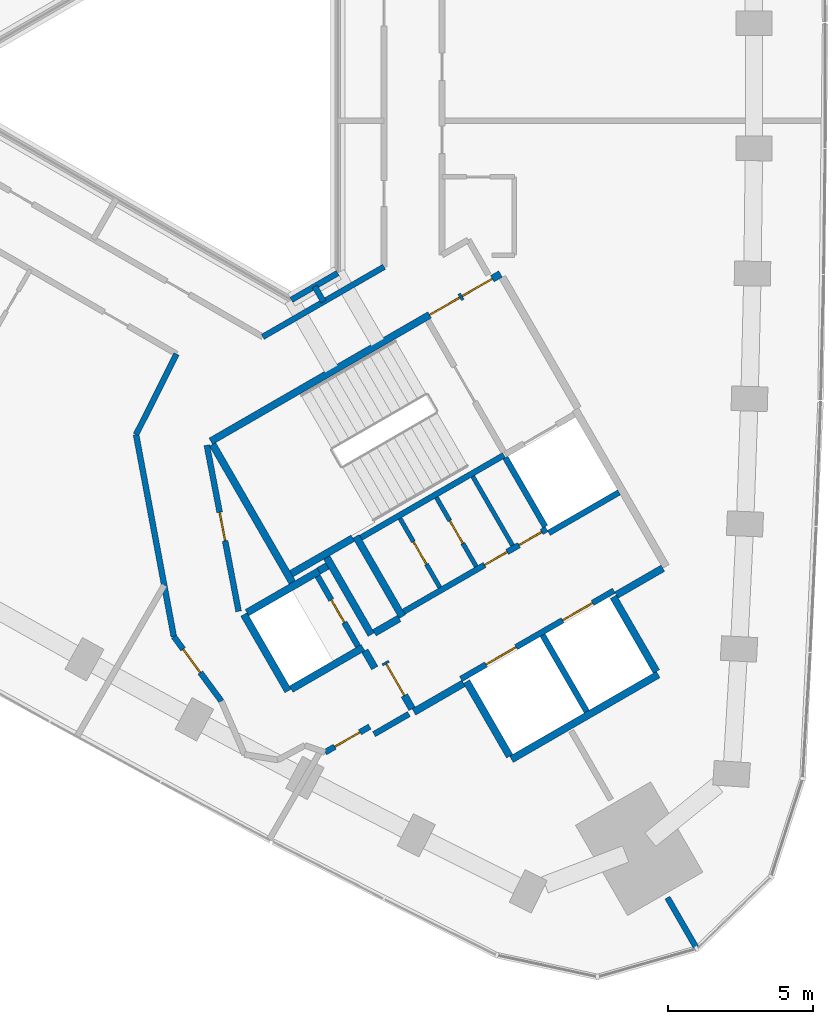
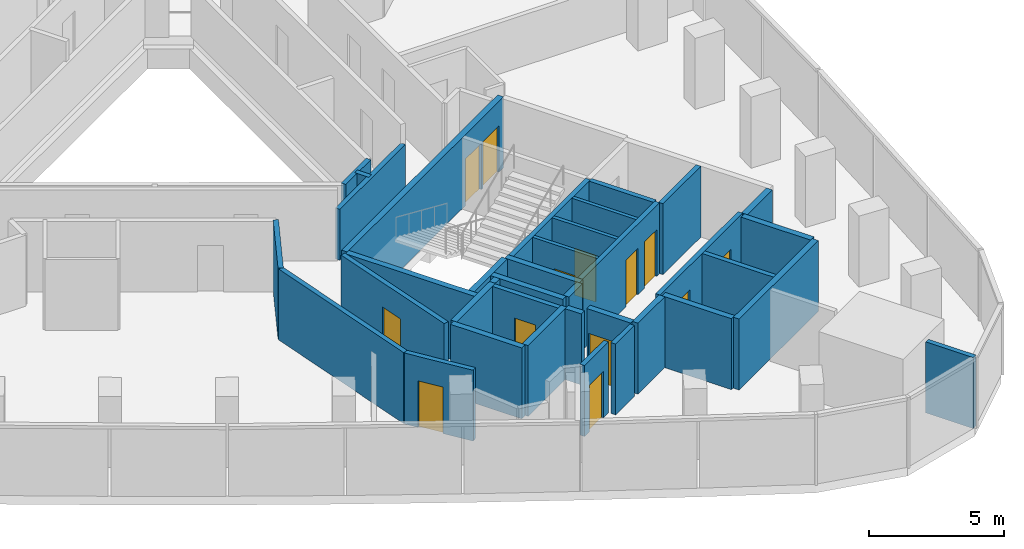
# One storey, part 8 of 12: 37 walls, 13 doors, 13 openings.
"""IFC4 building model written with IfcOpenShell, lengths in metres."""

from ifc_helpers import new_model, si_unit, direction, frame, frame_2d, origin, place, context, subcontext, project, spatial, rectangle, extrude, material, layer, layer_set, type_object, element, fill, save


model = new_model("IFC4")

# Units and contexts
model_context = context("Model", 3, precision=1e-05, world=origin(), true_north=direction((0.0, 1.0)))
body_context = subcontext(model_context, "Body", "Model", "MODEL_VIEW")
ifc_project = project(units=[si_unit("LENGTHUNIT", "METRE"), si_unit("AREAUNIT", "SQUARE_METRE"), si_unit("VOLUMEUNIT", "CUBIC_METRE"), si_unit("PLANEANGLEUNIT", "RADIAN"), si_unit("MASSUNIT", "GRAM", prefix="KILO")], contexts=[model_context])

# Site, building, storey
site_placement = place(None, origin())
site = spatial("IfcSite", under=ifc_project, at=site_placement, CompositionType="ELEMENT")
building_placement = place(site_placement, origin())
building = spatial("IfcBuilding", under=site, at=building_placement, Name="Tamra Quay Hotel Tower", CompositionType="ELEMENT")
storey_placement = place(building_placement, frame((0.0, 0.0, 154.0)))
storey = spatial("IfcBuildingStorey", under=building, at=storey_placement, Name="L38", CompositionType="ELEMENT", Elevation=154.0)

# Wall, openings, doors
ifc_material_1 = material(Name="Concrete M70", Category="concrete")
ifc_layer_1 = layer(ifc_material_1, 0.199951171875)
ifc_layer_set_1 = layer_set([ifc_layer_1], Name="Concrete M70 core wall 200")
wall_type_1 = type_object("IfcWallType", Name="Concrete M70 core wall 200", PredefinedType="SHEAR", material=ifc_layer_set_1)
wall_1_placement = place(storey_placement, frame((9.052490234375, -20.479736328125, 0.0), z_axis=(0.0, 0.0, 1.0), x_axis=(0.866030299012, 0.499991521122, 0.0)))
wall_1 = element("IfcWall", 1, at=wall_1_placement, inside=storey, type_object=wall_type_1, Name="CW2", PredefinedType="SHEAR", context=body_context, shape_type="SweptSolid", body=[
    extrude(rectangle(XDim=6.10009765625, YDim=0.199951171875, at=frame_2d((3.050048828125, 0.0))), origin(), (0.0, 0.0, 1.0), 3.199951171875),
])
opening_1_placement = place(wall_1_placement, frame((1.0, 0.0, 0.0)))
opening_1 = element("IfcOpeningElement", 2, at=opening_1_placement, cuts=wall_1, Name="Opening LD", PredefinedType="OPENING", context=body_context, shape_type="SweptSolid", body=[
    extrude(rectangle(XDim=1.199951171875, YDim=2.10009765625, at=frame_2d((0.60009765625, 1.050048828125))), frame((0.0, 0.10986328125, 0.0), z_axis=(0.0, -1.0, 0.0), x_axis=(1.0, 0.0, 0.0)), (0.0, 0.0, 1.0), 0.219970703125),
])
opening_2_placement = place(wall_1_placement, frame((4.05029296875, 0.0, 0.0)))
opening_2 = element("IfcOpeningElement", 3, at=opening_2_placement, cuts=wall_1, Name="Opening LD", PredefinedType="OPENING", context=body_context, shape_type="SweptSolid", body=[
    extrude(rectangle(XDim=1.199951171875, YDim=2.10009765625, at=frame_2d((0.60009765625, 1.050048828125))), frame((0.0, 0.10986328125, 0.0), z_axis=(0.0, -1.0, 0.0), x_axis=(1.0, 0.0, 0.0)), (0.0, 0.0, 1.0), 0.219970703125),
])
ifc_material_2 = material(Name="Landing door LD 1200 double door sliding")
door_type_1 = type_object("IfcDoorType", Name="Landing door LD 1200 double door sliding", OperationType="DOUBLE_DOOR_SLIDING", PredefinedType="DOOR", material=ifc_material_2)
door_1_placement = place(opening_1_placement, origin())
door_1 = element("IfcDoor", 4, at=door_1_placement, inside=storey, type_object=door_type_1, Name="LD", OperationType="DOUBLE_DOOR_SLIDING", OverallHeight=2.10009765625, OverallWidth=1.199951171875, PredefinedType="DOOR", context=body_context, shape_type="SweptSolid", body=[
    extrude(rectangle(XDim=1.199951171875, YDim=2.10009765625, at=frame_2d((0.60009765625, 1.050048828125))), frame((0.0, 0.02490234375, 0.0), z_axis=(0.0, -1.0, 0.0), x_axis=(1.0, 0.0, 0.0)), (0.0, 0.0, 1.0), 0.050048828125),
])
fill(opening_1, door_1)
door_2_placement = place(opening_2_placement, origin())
door_2 = element("IfcDoor", 5, at=door_2_placement, inside=storey, type_object=door_type_1, Name="LD", OperationType="DOUBLE_DOOR_SLIDING", OverallHeight=2.10009765625, OverallWidth=1.199951171875, PredefinedType="DOOR", context=body_context, shape_type="SweptSolid", body=[
    extrude(rectangle(XDim=1.199951171875, YDim=2.10009765625, at=frame_2d((0.60009765625, 1.050048828125))), frame((0.0, 0.02490234375, 0.0), z_axis=(0.0, -1.0, 0.0), x_axis=(1.0, 0.0, 0.0)), (0.0, 0.0, 1.0), 0.050048828125),
])
fill(opening_2, door_2)

# Wall
wall_2_placement = place(storey_placement, frame((10.537841796875, -12.751953125, 0.0), z_axis=(0.0, 0.0, 1.0), x_axis=(-0.866038630372, -0.499977090179, 0.0)))
element("IfcWall", 6, at=wall_2_placement, inside=storey, type_object=wall_type_1, Name="CW2", PredefinedType="SHEAR", context=body_context, shape_type="SweptSolid", body=[
    extrude(rectangle(XDim=5.698974609375, YDim=0.199951171875, at=frame_2d((2.849609375, 0.0))), origin(), (0.0, 0.0, 1.0), 3.199951171875),
])

# Wall, openings, doors
wall_3_placement = place(storey_placement, frame((7.0771484375, -18.156005859375, 0.0), z_axis=(0.0, 0.0, 1.0), x_axis=(0.866038630372, 0.499977090179, 0.0)))
wall_3 = element("IfcWall", 7, at=wall_3_placement, inside=storey, type_object=wall_type_1, Name="CW2", PredefinedType="SHEAR", context=body_context, shape_type="SweptSolid", body=[
    extrude(rectangle(XDim=5.698974609375, YDim=0.199951171875, at=frame_2d((2.849609375, 0.0))), origin(), (0.0, 0.0, 1.0), 3.199951171875),
])
opening_3_placement = place(wall_3_placement, frame((3.22412109375, 0.0, 0.0)))
opening_3 = element("IfcOpeningElement", 8, at=opening_3_placement, cuts=wall_3, Name="Opening D2", PredefinedType="OPENING", context=body_context, shape_type="SweptSolid", body=[
    extrude(rectangle(XDim=0.89990234375, YDim=2.10009765625, at=frame_2d((0.449951171875, 1.050048828125))), frame((0.0, 0.10986328125, 0.0), z_axis=(0.0, -1.0, 0.0), x_axis=(1.0, 0.0, 0.0)), (0.0, 0.0, 1.0), 0.219970703125),
])
opening_4_placement = place(wall_3_placement, frame((4.59912109375, 0.0, 0.0)))
opening_4 = element("IfcOpeningElement", 9, at=opening_4_placement, cuts=wall_3, Name="Opening D2", PredefinedType="OPENING", context=body_context, shape_type="SweptSolid", body=[
    extrude(rectangle(XDim=0.89990234375, YDim=2.10009765625, at=frame_2d((0.449951171875, 1.050048828125))), frame((0.0, 0.10986328125, 0.0), z_axis=(0.0, -1.0, 0.0), x_axis=(1.0, 0.0, 0.0)), (0.0, 0.0, 1.0), 0.219970703125),
])
ifc_material_3 = material(Name="Core door D2 900x2100 LH")
door_type_2 = type_object("IfcDoorType", Name="Core door D2 900x2100 LH", OperationType="NOTDEFINED", PredefinedType="DOOR", material=ifc_material_3)
door_3_placement = place(opening_4_placement, origin())
door_3 = element("IfcDoor", 10, at=door_3_placement, inside=storey, type_object=door_type_2, Name="D2", OperationType="SINGLE_SWING_LEFT", OverallHeight=2.10009765625, OverallWidth=0.89990234375, PredefinedType="DOOR", context=body_context, shape_type="SweptSolid", body=[
    extrude(rectangle(XDim=0.89990234375, YDim=2.10009765625, at=frame_2d((0.449951171875, 1.050048828125))), frame((0.0, 0.02490234375, 0.0), z_axis=(0.0, -1.0, 0.0), x_axis=(1.0, 0.0, 0.0)), (0.0, 0.0, 1.0), 0.050048828125),
])
fill(opening_4, door_3)
ifc_material_4 = material(Name="Core door D2 900x2100 RH")
door_type_3 = type_object("IfcDoorType", Name="Core door D2 900x2100 RH", OperationType="NOTDEFINED", PredefinedType="DOOR", material=ifc_material_4)
door_4_placement = place(opening_3_placement, origin())
door_4 = element("IfcDoor", 11, at=door_4_placement, inside=storey, type_object=door_type_3, Name="D2", OperationType="SINGLE_SWING_RIGHT", OverallHeight=2.10009765625, OverallWidth=0.89990234375, PredefinedType="DOOR", context=body_context, shape_type="SweptSolid", body=[
    extrude(rectangle(XDim=0.89990234375, YDim=2.10009765625, at=frame_2d((0.449951171875, 1.050048828125))), frame((0.0, 0.02490234375, 0.0), z_axis=(0.0, -1.0, 0.0), x_axis=(1.0, 0.0, 0.0)), (0.0, 0.0, 1.0), 0.050048828125),
])
fill(opening_3, door_4)

# Wall
wall_4_placement = place(storey_placement, frame((11.87451171875, -18.967041015625, 0.0), z_axis=(0.0, 0.0, 1.0), x_axis=(0.49998131003, -0.866036194175, 0.0)))
element("IfcWall", 12, at=wall_4_placement, inside=storey, type_object=wall_type_1, Name="CW2", PredefinedType="SHEAR", context=body_context, shape_type="SweptSolid", body=[
    extrude(rectangle(XDim=3.0478515625, YDim=0.199951171875, at=frame_2d((1.52392578125, 0.0))), origin(), (0.0, 0.0, 1.0), 3.199951171875),
])

# Wall, opening, door
wall_5_placement = place(storey_placement, frame((5.50341796875, -19.352294921875, 0.0), z_axis=(0.0, 0.0, 1.0), x_axis=(-0.499986818241, 0.866033014143, 0.0)))
wall_5 = element("IfcWall", 13, at=wall_5_placement, inside=storey, type_object=wall_type_1, Name="CW2", PredefinedType="SHEAR", context=body_context, shape_type="SweptSolid", body=[
    extrude(rectangle(XDim=2.7978515625, YDim=0.199951171875, at=frame_2d((1.39892578125, 0.0))), origin(), (0.0, 0.0, 1.0), 3.199951171875),
])
opening_5_placement = place(wall_5_placement, frame((0.948974609375, 0.0, 0.0)))
opening_5 = element("IfcOpeningElement", 14, at=opening_5_placement, cuts=wall_5, Name="Opening D1", PredefinedType="OPENING", context=body_context, shape_type="SweptSolid", body=[
    extrude(rectangle(XDim=0.89990234375, YDim=2.10009765625, at=frame_2d((0.449951171875, 1.050048828125))), frame((0.0, 0.10986328125, 0.0), z_axis=(0.0, -1.0, 0.0), x_axis=(1.0, 0.0, 0.0)), (0.0, 0.0, 1.0), 0.219970703125),
])
ifc_material_5 = material(Name="Core door D1 900x2100 RH")
door_type_4 = type_object("IfcDoorType", Name="Core door D1 900x2100 RH", OperationType="NOTDEFINED", PredefinedType="DOOR", material=ifc_material_5)
door_5_placement = place(opening_5_placement, origin())
door_5 = element("IfcDoor", 15, at=door_5_placement, inside=storey, type_object=door_type_4, Name="D1", OperationType="SINGLE_SWING_RIGHT", OverallHeight=2.10009765625, OverallWidth=0.89990234375, PredefinedType="DOOR", context=body_context, shape_type="SweptSolid", body=[
    extrude(rectangle(XDim=0.89990234375, YDim=2.10009765625, at=frame_2d((0.449951171875, 1.050048828125))), frame((0.0, 0.02490234375, 0.0), z_axis=(0.0, -1.0, 0.0), x_axis=(1.0, 0.0, 0.0)), (0.0, 0.0, 1.0), 0.050048828125),
])
fill(opening_5, door_5)

# Walls
wall_6_placement = place(storey_placement, frame((11.962646484375, -15.219970703125, 0.0), z_axis=(0.0, 0.0, 1.0), x_axis=(-0.500034990121, 0.866005201286, 0.0)))
element("IfcWall", 16, at=wall_6_placement, inside=storey, type_object=wall_type_1, Name="CW2", PredefinedType="SHEAR", context=body_context, shape_type="SweptSolid", body=[
    extrude(rectangle(XDim=2.749755859375, YDim=0.199951171875, at=frame_2d((1.375, 0.0))), origin(), (0.0, 0.0, 1.0), 3.199951171875),
])
wall_7_placement = place(storey_placement, frame((14.51171875, -14.037109375, 0.0), z_axis=(0.0, 0.0, 1.0), x_axis=(-0.866044696403, -0.499966582715, 0.0)))
element("IfcWall", 17, at=wall_7_placement, inside=storey, type_object=wall_type_1, Name="CW2", PredefinedType="SHEAR", context=body_context, shape_type="SweptSolid", body=[
    extrude(rectangle(XDim=2.799072265625, YDim=0.199951171875, at=frame_2d((1.3994140625, 0.0))), origin(), (0.0, 0.0, 1.0), 3.199951171875),
])

# Wall, openings, doors
ifc_layer_2 = layer(ifc_material_1, 0.25)
ifc_layer_set_2 = layer_set([ifc_layer_2], Name="Concrete M70 core wall 250")
wall_type_2 = type_object("IfcWallType", Name="Concrete M70 core wall 250", PredefinedType="SHEAR", material=ifc_layer_set_2)
wall_8_placement = place(storey_placement, frame((0.417236328125, -12.27294921875, 0.0), z_axis=(0.0, 0.0, 1.0), x_axis=(0.866021906294, 0.500006057782, 0.0)))
wall_8 = element("IfcWall", 18, at=wall_8_placement, inside=storey, type_object=wall_type_2, Name="CW1", PredefinedType="SHEAR", context=body_context, shape_type="SweptSolid", body=[
    extrude(rectangle(XDim=11.550048828125, YDim=0.25, at=frame_2d((5.77490234375, 0.0))), origin(), (0.0, 0.0, 1.0), 3.199951171875),
])
opening_6_placement = place(wall_8_placement, frame((10.024658203125, 0.0, 0.0)))
opening_6 = element("IfcOpeningElement", 19, at=opening_6_placement, cuts=wall_8, Name="Opening FD1", PredefinedType="OPENING", context=body_context, shape_type="SweptSolid", body=[
    extrude(rectangle(XDim=1.199951171875, YDim=2.10009765625, at=frame_2d((0.60009765625, 1.050048828125))), frame((0.0, 0.135009765625, 0.0), z_axis=(0.0, -1.0, 0.0), x_axis=(1.0, 0.0, 0.0)), (0.0, 0.0, 1.0), 0.27001953125),
])
opening_7_placement = place(wall_8_placement, frame((8.724609375, 0.0, 0.0)))
opening_7 = element("IfcOpeningElement", 20, at=opening_7_placement, cuts=wall_8, Name="Opening FD1", PredefinedType="OPENING", context=body_context, shape_type="SweptSolid", body=[
    extrude(rectangle(XDim=1.199951171875, YDim=2.10009765625, at=frame_2d((0.60009765625, 1.050048828125))), frame((0.0, 0.135009765625, 0.0), z_axis=(0.0, -1.0, 0.0), x_axis=(1.0, 0.0, 0.0)), (0.0, 0.0, 1.0), 0.27001953125),
])
ifc_material_6 = material(Name="Core door FD1 1200x2100 LH")
door_type_5 = type_object("IfcDoorType", Name="Core door FD1 1200x2100 LH", OperationType="NOTDEFINED", PredefinedType="DOOR", material=ifc_material_6)
door_6_placement = place(opening_6_placement, origin())
door_6 = element("IfcDoor", 21, at=door_6_placement, inside=storey, type_object=door_type_5, Name="FD1", OperationType="SINGLE_SWING_LEFT", OverallHeight=2.10009765625, OverallWidth=1.199951171875, PredefinedType="DOOR", context=body_context, shape_type="SweptSolid", body=[
    extrude(rectangle(XDim=1.199951171875, YDim=2.10009765625, at=frame_2d((0.60009765625, 1.050048828125))), frame((0.0, 0.02490234375, 0.0), z_axis=(0.0, -1.0, 0.0), x_axis=(1.0, 0.0, 0.0)), (0.0, 0.0, 1.0), 0.050048828125),
])
fill(opening_6, door_6)
ifc_material_7 = material(Name="Core door FD1 1200x2100 RH")
door_type_6 = type_object("IfcDoorType", Name="Core door FD1 1200x2100 RH", OperationType="NOTDEFINED", PredefinedType="DOOR", material=ifc_material_7)
door_7_placement = place(opening_7_placement, origin())
door_7 = element("IfcDoor", 22, at=door_7_placement, inside=storey, type_object=door_type_6, Name="FD1", OperationType="SINGLE_SWING_RIGHT", OverallHeight=2.10009765625, OverallWidth=1.199951171875, PredefinedType="DOOR", context=body_context, shape_type="SweptSolid", body=[
    extrude(rectangle(XDim=1.199951171875, YDim=2.10009765625, at=frame_2d((0.60009765625, 1.050048828125))), frame((0.0, 0.02490234375, 0.0), z_axis=(0.0, -1.0, 0.0), x_axis=(1.0, 0.0, 0.0)), (0.0, 0.0, 1.0), 0.050048828125),
])
fill(opening_7, door_7)

# Walls
wall_9_placement = place(storey_placement, frame((15.86474609375, -20.328369140625, 0.0), z_axis=(0.0, 0.0, 1.0), x_axis=(-0.86602852612, -0.499994591916, 0.0)))
element("IfcWall", 23, at=wall_9_placement, inside=storey, type_object=wall_type_2, Name="CW1", PredefinedType="SHEAR", context=body_context, shape_type="SweptSolid", body=[
    extrude(rectangle(XDim=5.85009765625, YDim=0.25, at=frame_2d((2.925048828125, 0.0))), origin(), (0.0, 0.0, 1.0), 3.199951171875),
])
wall_10_placement = place(storey_placement, frame((3.23486328125, -17.15283203125, 0.0), z_axis=(0.0, 0.0, 1.0), x_axis=(-0.500008851346, 0.866020293397, 0.0)))
element("IfcWall", 24, at=wall_10_placement, inside=storey, type_object=wall_type_2, Name="CW1", PredefinedType="SHEAR", context=body_context, shape_type="SweptSolid", body=[
    extrude(rectangle(XDim=5.509765625, YDim=0.25, at=frame_2d((2.7548828125, 0.0))), origin(), (0.0, 0.0, 1.0), 3.199951171875),
])
wall_11_placement = place(storey_placement, frame((7.030517578125, -18.327392578125, 0.0), z_axis=(0.0, 0.0, 1.0), x_axis=(-0.499971222258, 0.866042017984, 0.0)))
element("IfcWall", 25, at=wall_11_placement, inside=storey, type_object=wall_type_2, Name="CW1", PredefinedType="SHEAR", context=body_context, shape_type="SweptSolid", body=[
    extrude(rectangle(XDim=3.199951171875, YDim=0.25, at=frame_2d((1.60009765625, 0.0))), origin(), (0.0, 0.0, 1.0), 3.199951171875),
])
for number, where, z_axis, x_axis, name in (
    (26, (14.314697265625, -17.643798828125, 0.0), (0.0, 0.0, 1.0), (0.500023226632, -0.866011993467, 0.0), "CW1"),
    (27, (10.73583984375, -23.144775390625, 0.0), (0.0, 0.0, 1.0), (-0.500023226632, 0.866011993467, 0.0), "CW1"),
):
    element("IfcWall", number, at=place(storey_placement, frame(where, z_axis=z_axis, x_axis=x_axis)), inside=storey, type_object=wall_type_2, Name=name, PredefinedType="SHEAR", context=body_context, shape_type="SweptSolid", body=[
        extrude(rectangle(XDim=2.974365234375, YDim=0.25, at=frame_2d((1.4873046875, 0.0))), origin(), (0.0, 0.0, 1.0), 3.199951171875),
    ])
wall_12_placement = place(storey_placement, frame((3.085205078125, -20.893798828125, 0.0), z_axis=(0.0, 0.0, 1.0), x_axis=(-0.499978833458, 0.866037623948, 0.0)))
element("IfcWall", 28, at=wall_12_placement, inside=storey, type_object=wall_type_2, Name="CW1", PredefinedType="SHEAR", context=body_context, shape_type="SweptSolid", body=[
    extrude(rectangle(XDim=3.050048828125, YDim=0.25, at=frame_2d((1.52490234375, 0.0))), origin(), (0.0, 0.0, 1.0), 3.199951171875),
])
wall_13_placement = place(storey_placement, frame((1.6689453125, -18.189697265625, 0.0), z_axis=(0.0, 0.0, 1.0), x_axis=(0.866042235819, 0.499970844928, 0.0)))
element("IfcWall", 29, at=wall_13_placement, inside=storey, type_object=wall_type_2, Name="CW1", PredefinedType="SHEAR", context=body_context, shape_type="SweptSolid", body=[
    extrude(rectangle(XDim=2.864501953125, YDim=0.25, at=frame_2d((1.43212890625, 0.0))), origin(), (0.0, 0.0, 1.0), 3.199951171875),
])
wall_14_placement = place(storey_placement, frame((5.6748046875, -19.39892578125, 0.0), z_axis=(0.0, 0.0, 1.0), x_axis=(-0.866026637627, -0.499997862916, 0.0)))
element("IfcWall", 30, at=wall_14_placement, inside=storey, type_object=wall_type_2, Name="CW1", PredefinedType="SHEAR", context=body_context, shape_type="SweptSolid", body=[
    extrude(rectangle(XDim=2.86474609375, YDim=0.25, at=frame_2d((1.432373046875, 0.0))), origin(), (0.0, 0.0, 1.0), 3.199951171875),
])
wall_15_placement = place(storey_placement, frame((4.414306640625, -16.275634765625, 0.0), z_axis=(0.0, 0.0, 1.0), x_axis=(0.500003324108, -0.866023484601, 0.0)))
element("IfcWall", 31, at=wall_15_placement, inside=storey, type_object=wall_type_2, Name="CW1", PredefinedType="SHEAR", context=body_context, shape_type="SweptSolid", body=[
    extrude(rectangle(XDim=3.0849609375, YDim=0.25, at=frame_2d((1.54248046875, 0.0))), origin(), (0.0, 0.0, 1.0), 3.199951171875),
])
wall_16_placement = place(storey_placement, frame((5.322021484375, -15.618896484375, 0.0), z_axis=(0.0, 0.0, 1.0), x_axis=(-0.866026229868, -0.499998569178, 0.0)))
element("IfcWall", 32, at=wall_16_placement, inside=storey, type_object=wall_type_2, Name="CW1", PredefinedType="SHEAR", context=body_context, shape_type="SweptSolid", body=[
    extrude(rectangle(XDim=2.44921875, YDim=0.25, at=frame_2d((1.224609375, 0.0))), origin(), (0.0, 0.0, 1.0), 3.199951171875),
])
wall_17_placement = place(storey_placement, frame((9.139892578125, -20.63134765625, 0.0), z_axis=(0.0, 0.0, 1.0), x_axis=(-0.866043531843, -0.499968599967, 0.0)))
element("IfcWall", 33, at=wall_17_placement, inside=storey, type_object=wall_type_2, Name="CW1", PredefinedType="SHEAR", context=body_context, shape_type="SweptSolid", body=[
    extrude(rectangle(XDim=1.974853515625, YDim=0.25, at=frame_2d((0.9873046875, 0.0))), origin(), (0.0, 0.0, 1.0), 3.199951171875),
])
wall_18_placement = place(storey_placement, frame((16.024658203125, -16.656494140625, 0.0), z_axis=(0.0, 0.0, 1.0), x_axis=(-0.866016279763, -0.500015802937, 0.0)))
element("IfcWall", 34, at=wall_18_placement, inside=storey, type_object=wall_type_2, Name="CW1", PredefinedType="SHEAR", context=body_context, shape_type="SweptSolid", body=[
    extrude(rectangle(XDim=1.84912109375, YDim=0.25, at=frame_2d((0.924560546875, 0.0))), origin(), (0.0, 0.0, 1.0), 3.199951171875),
])

# Wall, opening, door
wall_19_placement = place(storey_placement, frame((7.3671875, -21.51025390625, 0.0), z_axis=(0.0, 0.0, 1.0), x_axis=(-0.499983108224, 0.866035156036, 0.0)))
wall_19 = element("IfcWall", 35, at=wall_19_placement, inside=storey, type_object=wall_type_2, Name="CW1", PredefinedType="SHEAR", context=body_context, shape_type="SweptSolid", body=[
    extrude(rectangle(XDim=1.86474609375, YDim=0.25, at=frame_2d((0.932373046875, 0.0))), origin(), (0.0, 0.0, 1.0), 3.199951171875),
])
opening_8_placement = place(wall_19_placement, frame((0.53466796875, 0.0, 0.0)))
opening_8 = element("IfcOpeningElement", 36, at=opening_8_placement, cuts=wall_19, Name="Opening FD3", PredefinedType="OPENING", context=body_context, shape_type="SweptSolid", body=[
    extrude(rectangle(XDim=1.25, YDim=2.10009765625, at=frame_2d((0.625, 1.050048828125))), frame((0.0, 0.135009765625, 0.0), z_axis=(0.0, -1.0, 0.0), x_axis=(1.0, 0.0, 0.0)), (0.0, 0.0, 1.0), 0.27001953125),
])
ifc_material_8 = material(Name="Core door FD3 1250x2100 LH")
door_type_7 = type_object("IfcDoorType", Name="Core door FD3 1250x2100 LH", OperationType="NOTDEFINED", PredefinedType="DOOR", material=ifc_material_8)
door_8_placement = place(opening_8_placement, origin())
door_8 = element("IfcDoor", 37, at=door_8_placement, inside=storey, type_object=door_type_7, Name="FD3", OperationType="SINGLE_SWING_LEFT", OverallHeight=2.10009765625, OverallWidth=1.25, PredefinedType="DOOR", context=body_context, shape_type="SweptSolid", body=[
    extrude(rectangle(XDim=1.25, YDim=2.10009765625, at=frame_2d((0.625, 1.050048828125))), frame((0.0, 0.02490234375, 0.0), z_axis=(0.0, -1.0, 0.0), x_axis=(1.0, 0.0, 0.0)), (0.0, 0.0, 1.0), 0.050048828125),
])
fill(opening_8, door_8)

# Walls
wall_20_placement = place(storey_placement, frame((6.0654296875, -18.884765625, 0.0), z_axis=(0.0, 0.0, 1.0), x_axis=(0.866017078145, 0.500014420154, 0.0)))
element("IfcWall", 38, at=wall_20_placement, inside=storey, type_object=wall_type_2, Name="CW1", PredefinedType="SHEAR", context=body_context, shape_type="SweptSolid", body=[
    extrude(rectangle(XDim=0.9892578125, YDim=0.25, at=frame_2d((0.49462890625, 0.0))), origin(), (0.0, 0.0, 1.0), 3.199951171875),
])
wall_21_placement = place(storey_placement, frame((6.07958984375, -20.100341796875, 0.0), z_axis=(0.0, 0.0, 1.0), x_axis=(-0.500051773299, 0.865995510393, 0.0)))
element("IfcWall", 39, at=wall_21_placement, inside=storey, type_object=wall_type_2, Name="CW1", PredefinedType="SHEAR", context=body_context, shape_type="SweptSolid", body=[
    extrude(rectangle(XDim=0.6845703125, YDim=0.25, at=frame_2d((0.34228515625, 0.0))), origin(), (0.0, 0.0, 1.0), 3.199951171875),
])
wall_22_placement = place(storey_placement, frame((4.144775390625, -16.748779296875, 0.0), z_axis=(0.0, 0.0, 1.0), x_axis=(0.866185586049, 0.49972245349, 0.0)))
element("IfcWall", 40, at=wall_22_placement, inside=storey, type_object=wall_type_2, Name="CW1", PredefinedType="SHEAR", context=body_context, shape_type="SweptSolid", body=[
    extrude(rectangle(XDim=0.344482421875, YDim=0.25, at=frame_2d((0.17236328125, 0.0))), origin(), (0.0, 0.0, 1.0), 3.199951171875),
])

# Wall, opening, door
ifc_material_9 = material(Name="Blockwork", Category="masonry")
ifc_layer_3 = layer(ifc_material_9, 0.14990234375)
ifc_layer_set_3 = layer_set([ifc_layer_3], Name="Core partition block 150")
wall_type_3 = type_object("IfcWallType", Name="Core partition block 150", PredefinedType="PARTITIONING", material=ifc_layer_set_3)
wall_23_placement = place(storey_placement, frame((8.20654296875, -14.214111328125, 0.0), z_axis=(0.0, 0.0, 1.0), x_axis=(0.50002746344, -0.86600954718, 0.0)))
wall_23 = element("IfcWall", 41, at=wall_23_placement, inside=storey, type_object=wall_type_3, Name="CP1", PredefinedType="PARTITIONING", context=body_context, shape_type="SweptSolid", body=[
    extrude(rectangle(XDim=2.748291015625, YDim=0.14990234375, at=frame_2d((1.3740234375, 0.0))), origin(), (0.0, 0.0, 1.0), 3.199951171875),
])
opening_9_placement = place(wall_23_placement, frame((0.92431640625, 0.0, 0.0)))
opening_9 = element("IfcOpeningElement", 42, at=opening_9_placement, cuts=wall_23, Name="Opening D2", PredefinedType="OPENING", context=body_context, shape_type="SweptSolid", body=[
    extrude(rectangle(XDim=0.89990234375, YDim=2.10009765625, at=frame_2d((0.449951171875, 1.050048828125))), frame((0.0, 0.0849609375, 0.0), z_axis=(0.0, -1.0, 0.0), x_axis=(1.0, 0.0, 0.0)), (0.0, 0.0, 1.0), 0.169921875),
])
door_9_placement = place(opening_9_placement, origin())
door_9 = element("IfcDoor", 43, at=door_9_placement, inside=storey, type_object=door_type_2, Name="D2", OperationType="SINGLE_SWING_LEFT", OverallHeight=2.10009765625, OverallWidth=0.89990234375, PredefinedType="DOOR", context=body_context, shape_type="SweptSolid", body=[
    extrude(rectangle(XDim=0.89990234375, YDim=2.10009765625, at=frame_2d((0.449951171875, 1.050048828125))), frame((0.0, 0.02490234375, 0.0), z_axis=(0.0, -1.0, 0.0), x_axis=(1.0, 0.0, 0.0)), (0.0, 0.0, 1.0), 0.050048828125),
])
fill(opening_9, door_9)

# Wall
wall_24_placement = place(storey_placement, frame((9.46240234375, -13.489013671875, 0.0), z_axis=(0.0, 0.0, 1.0), x_axis=(0.499988999718, -0.866031754707, 0.0)))
element("IfcWall", 44, at=wall_24_placement, inside=storey, type_object=wall_type_3, Name="CP1", PredefinedType="PARTITIONING", context=body_context, shape_type="SweptSolid", body=[
    extrude(rectangle(XDim=2.74853515625, YDim=0.14990234375, at=frame_2d((1.374267578125, 0.0))), origin(), (0.0, 0.0, 1.0), 3.199951171875),
])

# Wall, opening, door
wall_25_placement = place(storey_placement, frame((6.950927734375, -14.93896484375, 0.0), z_axis=(0.0, 0.0, 1.0), x_axis=(0.499988999718, -0.866031754707, 0.0)))
wall_25 = element("IfcWall", 45, at=wall_25_placement, inside=storey, type_object=wall_type_3, Name="CP1", PredefinedType="PARTITIONING", context=body_context, shape_type="SweptSolid", body=[
    extrude(rectangle(XDim=2.74853515625, YDim=0.14990234375, at=frame_2d((1.374267578125, 0.0))), origin(), (0.0, 0.0, 1.0), 3.199951171875),
])
opening_10_placement = place(wall_25_placement, frame((0.92431640625, 0.0, 0.0)))
opening_10 = element("IfcOpeningElement", 46, at=opening_10_placement, cuts=wall_25, Name="Opening D2", PredefinedType="OPENING", context=body_context, shape_type="SweptSolid", body=[
    extrude(rectangle(XDim=0.89990234375, YDim=2.10009765625, at=frame_2d((0.449951171875, 1.050048828125))), frame((0.0, 0.0849609375, 0.0), z_axis=(0.0, -1.0, 0.0), x_axis=(1.0, 0.0, 0.0)), (0.0, 0.0, 1.0), 0.169921875),
])
door_10_placement = place(opening_10_placement, origin())
door_10 = element("IfcDoor", 47, at=door_10_placement, inside=storey, type_object=door_type_3, Name="D2", OperationType="SINGLE_SWING_RIGHT", OverallHeight=2.10009765625, OverallWidth=0.89990234375, PredefinedType="DOOR", context=body_context, shape_type="SweptSolid", body=[
    extrude(rectangle(XDim=0.89990234375, YDim=2.10009765625, at=frame_2d((0.449951171875, 1.050048828125))), frame((0.0, 0.02490234375, 0.0), z_axis=(0.0, -1.0, 0.0), x_axis=(1.0, 0.0, 0.0)), (0.0, 0.0, 1.0), 0.050048828125),
])
fill(opening_10, door_10)

# Walls
ifc_material_10 = material(Name="Partition corridor wall")
ifc_layer_4 = layer(ifc_material_10, 0.199951171875)
ifc_layer_set_4 = layer_set([ifc_layer_4], Name="Partition corridor wall")
wall_type_4 = type_object("IfcWallType", Name="Partition corridor wall", PredefinedType="PARTITIONING", material=ifc_layer_set_4)
wall_26_placement = place(storey_placement, frame((-2.162109375, -12.0419921875, 0.0), z_axis=(0.0, 0.0, 1.0), x_axis=(0.18377734651, -0.982967897192, 0.0)))
element("IfcWall", 48, at=wall_26_placement, inside=storey, type_object=wall_type_4, Name="W-C", PredefinedType="PARTITIONING", context=body_context, shape_type="SweptSolid", body=[
    extrude(rectangle(XDim=7.093994140625, YDim=0.199951171875, at=frame_2d((3.546875, 0.0))), origin(), (0.0, 0.0, 1.0), 3.199951171875),
])
wall_27_placement = place(storey_placement, frame((-2.162109375, -12.041015625, 0.0), z_axis=(0.0, 0.0, 1.0), x_axis=(0.448937335771, 0.893563242614, 0.0)))
element("IfcWall", 49, at=wall_27_placement, inside=storey, type_object=wall_type_4, Name="W-C", PredefinedType="PARTITIONING", context=body_context, shape_type="SweptSolid", body=[
    extrude(rectangle(XDim=3.114501953125, YDim=0.199951171875, at=frame_2d((1.55712890625, 0.0))), origin(), (0.0, 0.0, 1.0), 3.199951171875),
])

# Wall, opening, door
wall_28_placement = place(storey_placement, frame((-0.85791015625, -19.01611328125, 0.0), z_axis=(0.0, 0.0, 1.0), x_axis=(0.593123867414, -0.805111220829, 0.0)))
wall_28 = element("IfcWall", 50, at=wall_28_placement, inside=storey, type_object=wall_type_4, Name="W-C", PredefinedType="PARTITIONING", context=body_context, shape_type="SweptSolid", body=[
    extrude(rectangle(XDim=2.769775390625, YDim=0.199951171875, at=frame_2d((1.384765625, 0.0))), origin(), (0.0, 0.0, 1.0), 3.199951171875),
])
opening_11_placement = place(wall_28_placement, frame((0.54248046875, 0.0, 0.0)))
opening_11 = element("IfcOpeningElement", 51, at=opening_11_placement, cuts=wall_28, Name="Opening L38-D016", PredefinedType="OPENING", context=body_context, shape_type="SweptSolid", body=[
    extrude(rectangle(XDim=1.0, YDim=2.10009765625, at=frame_2d((0.5, 1.050048828125))), frame((0.0, 0.10986328125, 0.0), z_axis=(0.0, -1.0, 0.0), x_axis=(1.0, 0.0, 0.0)), (0.0, 0.0, 1.0), 0.219970703125),
])
ifc_material_11 = material(Name="Door guest room 1000x2100")
door_type_8 = type_object("IfcDoorType", Name="Door guest room 1000x2100", OperationType="NOTDEFINED", PredefinedType="DOOR", material=ifc_material_11)
door_11_placement = place(opening_11_placement, frame((1.0, 0.0, 0.0), z_axis=(0.0, 0.0, 1.0), x_axis=(-1.0, 0.0, 0.0)))
door_11 = element("IfcDoor", 52, at=door_11_placement, inside=storey, type_object=door_type_8, Name="L38-D016", OperationType="SINGLE_SWING_LEFT", OverallHeight=2.10009765625, OverallWidth=1.0, PredefinedType="DOOR", context=body_context, shape_type="SweptSolid", body=[
    extrude(rectangle(XDim=1.0, YDim=2.10009765625, at=frame_2d((0.5, 1.050048828125))), frame((0.0, 0.02490234375, 0.0), z_axis=(0.0, -1.0, 0.0), x_axis=(1.0, 0.0, 0.0)), (0.0, 0.0, 1.0), 0.050048828125),
])
fill(opening_11, door_11)

wall_29_placement = place(storey_placement, frame((0.28076171875, -12.40625, 0.0), z_axis=(0.0, 0.0, 1.0), x_axis=(0.187814940093, -0.982204433037, 0.0)))
wall_29 = element("IfcWall", 53, at=wall_29_placement, inside=storey, type_object=wall_type_4, Name="W-C", PredefinedType="PARTITIONING", context=body_context, shape_type="SweptSolid", body=[
    extrude(rectangle(XDim=5.841796875, YDim=0.199951171875, at=frame_2d((2.9208984375, 0.0))), origin(), (0.0, 0.0, 1.0), 3.199951171875),
])
opening_12_placement = place(wall_29_placement, frame((2.36328125, 0.0, 0.0)))
opening_12 = element("IfcOpeningElement", 54, at=opening_12_placement, cuts=wall_29, Name="Opening L38-D015", PredefinedType="OPENING", context=body_context, shape_type="SweptSolid", body=[
    extrude(rectangle(XDim=1.0, YDim=2.10009765625, at=frame_2d((0.5, 1.050048828125))), frame((0.0, 0.10986328125, 0.0), z_axis=(0.0, -1.0, 0.0), x_axis=(1.0, 0.0, 0.0)), (0.0, 0.0, 1.0), 0.219970703125),
])
door_12_placement = place(opening_12_placement, origin())
door_12 = element("IfcDoor", 55, at=door_12_placement, inside=storey, type_object=door_type_8, Name="L38-D015", OperationType="SINGLE_SWING_LEFT", OverallHeight=2.10009765625, OverallWidth=1.0, PredefinedType="DOOR", context=body_context, shape_type="SweptSolid", body=[
    extrude(rectangle(XDim=1.0, YDim=2.10009765625, at=frame_2d((0.5, 1.050048828125))), frame((0.0, 0.02490234375, 0.0), z_axis=(0.0, -1.0, 0.0), x_axis=(1.0, 0.0, 0.0)), (0.0, 0.0, 1.0), 0.050048828125),
])
fill(opening_12, door_12)

# Wall
wall_30_placement = place(storey_placement, frame((2.212158203125, -8.66748046875, 0.0), z_axis=(0.0, 0.0, 1.0), x_axis=(0.866053587187, 0.499951181737, 0.0)))
element("IfcWall", 56, at=wall_30_placement, inside=storey, type_object=wall_type_4, Name="W-C", PredefinedType="PARTITIONING", context=body_context, shape_type="SweptSolid", body=[
    extrude(rectangle(XDim=4.83544921875, YDim=0.199951171875, at=frame_2d((2.417724609375, 0.0))), origin(), (0.0, 0.0, 1.0), 2.300048828125),
])

# Wall, opening, door
wall_31_placement = place(storey_placement, frame((4.362060546875, -23.011962890625, 0.0), z_axis=(0.0, 0.0, 1.0), x_axis=(0.866692617793, 0.49884256661, 0.0)))
wall_31 = element("IfcWall", 57, at=wall_31_placement, inside=storey, type_object=wall_type_4, Name="W-C", PredefinedType="PARTITIONING", context=body_context, shape_type="SweptSolid", body=[
    extrude(rectangle(XDim=1.778076171875, YDim=0.199951171875, at=frame_2d((0.88916015625, 0.0))), origin(), (0.0, 0.0, 1.0), 3.199951171875),
])
opening_13_placement = place(wall_31_placement, frame((0.388916015625, 0.0, 0.0)))
opening_13 = element("IfcOpeningElement", 58, at=opening_13_placement, cuts=wall_31, Name="Opening L38-D017", PredefinedType="OPENING", context=body_context, shape_type="SweptSolid", body=[
    extrude(rectangle(XDim=1.0, YDim=2.10009765625, at=frame_2d((0.5, 1.050048828125))), frame((0.0, 0.10986328125, 0.0), z_axis=(0.0, -1.0, 0.0), x_axis=(1.0, 0.0, 0.0)), (0.0, 0.0, 1.0), 0.219970703125),
])
door_13_placement = place(opening_13_placement, frame((1.0, 0.0, 0.0), z_axis=(0.0, 0.0, 1.0), x_axis=(-1.0, 0.0, 0.0)))
door_13 = element("IfcDoor", 59, at=door_13_placement, inside=storey, type_object=door_type_8, Name="L38-D017", OperationType="SINGLE_SWING_LEFT", OverallHeight=2.10009765625, OverallWidth=1.0, PredefinedType="DOOR", context=body_context, shape_type="SweptSolid", body=[
    extrude(rectangle(XDim=1.0, YDim=2.10009765625, at=frame_2d((0.5, 1.050048828125))), frame((0.0, 0.02490234375, 0.0), z_axis=(0.0, -1.0, 0.0), x_axis=(1.0, 0.0, 0.0)), (0.0, 0.0, 1.0), 0.050048828125),
])
fill(opening_13, door_13)

# Walls
wall_32_placement = place(storey_placement, frame((6.053955078125, -22.385009765625, 0.0), z_axis=(0.0, 0.0, 1.0), x_axis=(0.86593101922, 0.500163443238, 0.0)))
element("IfcWall", 60, at=wall_32_placement, inside=storey, type_object=wall_type_4, Name="W-C", PredefinedType="PARTITIONING", context=body_context, shape_type="SweptSolid", body=[
    extrude(rectangle(XDim=1.3896484375, YDim=0.199951171875, at=frame_2d((0.69482421875, 0.0))), origin(), (0.0, 0.0, 1.0), 3.199951171875),
])
ifc_material_12 = material(Name="Partition party wall")
ifc_layer_5 = layer(ifc_material_12, 0.199951171875)
ifc_layer_set_5 = layer_set([ifc_layer_5], Name="Partition party wall")
wall_type_5 = type_object("IfcWallType", Name="Partition party wall", PredefinedType="PARTITIONING", material=ifc_layer_set_5)
wall_33_placement = place(storey_placement, frame((3.2001953125, -7.390380859375, 0.0), z_axis=(0.0, 0.0, 1.0), x_axis=(0.865875248522, 0.500259986404, 0.0)))
element("IfcWall", 61, at=wall_33_placement, inside=storey, type_object=wall_type_5, Name="W-P", PredefinedType="PARTITIONING", context=body_context, shape_type="SweptSolid", body=[
    extrude(rectangle(XDim=1.84765625, YDim=0.199951171875, at=frame_2d((0.923828125, 0.0))), origin(), (0.0, 0.0, 1.0), 2.300048828125),
])
wall_34_placement = place(storey_placement, frame((4.005126953125, -6.925048828125, 0.0), z_axis=(0.0, 0.0, 1.0), x_axis=(0.499942781752, -0.866058436235, 0.0)))
element("IfcWall", 62, at=wall_34_placement, inside=storey, type_object=wall_type_5, Name="W-P", PredefinedType="PARTITIONING", context=body_context, shape_type="SweptSolid", body=[
    extrude(rectangle(XDim=0.607421875, YDim=0.199951171875, at=frame_2d((0.3037109375, 0.0))), origin(), (0.0, 0.0, 1.0), 2.300048828125),
])
wall_35_placement = place(storey_placement, frame((16.181884765625, -28.028076171875, 0.0), z_axis=(0.0, 0.0, 1.0), x_axis=(0.499836922991, -0.86611953587, 0.0)))
element("IfcWall", 63, at=wall_35_placement, inside=storey, type_object=wall_type_5, Name="W-P", PredefinedType="PARTITIONING", context=body_context, shape_type="SweptSolid", body=[
    extrude(rectangle(XDim=2.031005859375, YDim=0.199951171875, at=frame_2d((1.015625, 0.0))), origin(), (0.0, 0.0, 1.0), 3.199951171875),
])

save(model, "model.ifc")
